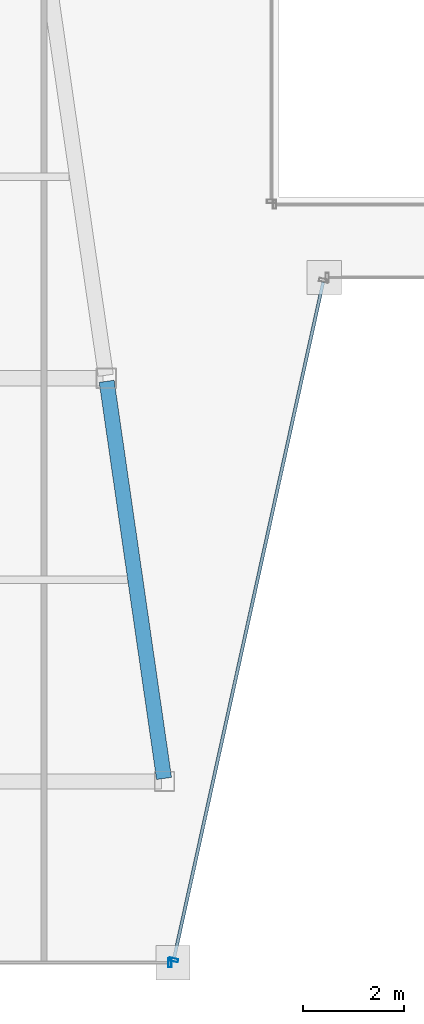
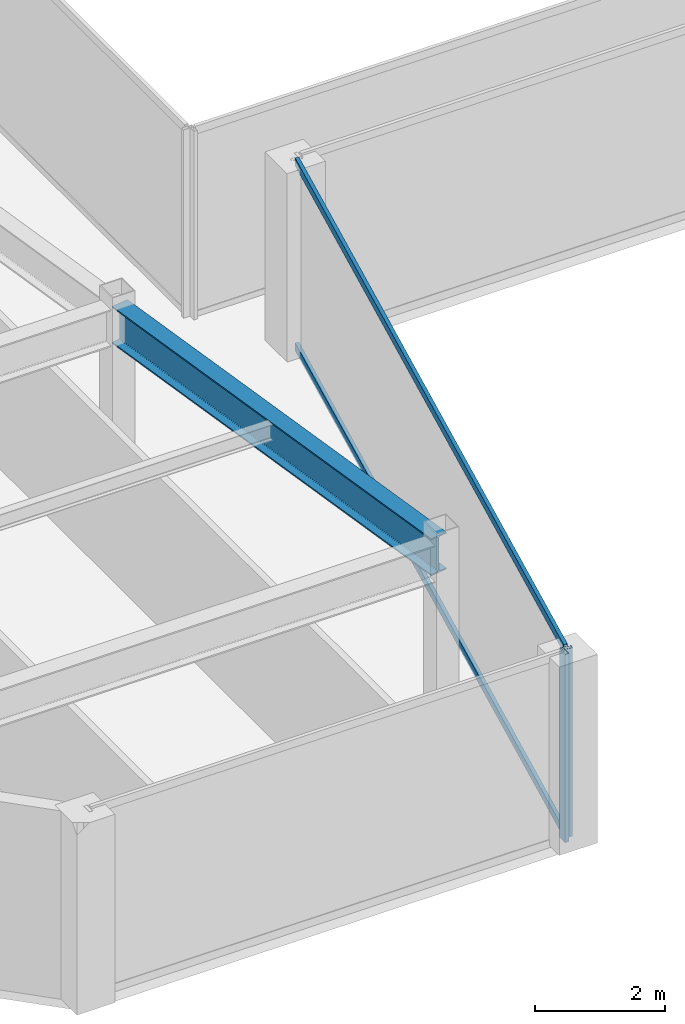
# One storey, part 6 of 35: 4 members, 1 beam, 2 elements without a shape of their own.
"""IFC4 building model written with IfcOpenShell, lengths in metres."""

import ifcopenshell
import ifcopenshell.guid

model = None  # the IFC model being written
_history = None  # IfcOwnerHistory: only IFC2X3 demands one
_inside = {}  # id of a spatial element -> (the spatial element, [elements in it])
_under = {}  # id of a project, library or spatial element -> (it, [spatial elements below it])
_declared = {}  # id of a project -> (the project, [libraries it declares])
_typed = {}  # id of a type object -> (the type object, [elements of that type])
_made_of = {}  # id of a material, layer set ... -> (it, [elements and type objects made of it])


def new_model(schema):
    """Start an empty IFC model of exactly this schema.

    Asked for "IFC4X3", IfcOpenShell would pick the latest addendum, in which some entities
    have other attributes; the version numbers below select the first issue.
    IFC2X3 requires an IfcOwnerHistory on every rooted entity: one is made here for all.
    """
    global model, _history
    if schema == "IFC4X3":
        model = ifcopenshell.file(schema_version=(4, 3, 0, 0))
    else:
        model = ifcopenshell.file(schema=schema)
    _inside.clear()
    _under.clear()
    _declared.clear()
    _typed.clear()
    _made_of.clear()
    _history = None
    if model.schema == "IFC2X3":
        org = make("IfcOrganization", Name="unknown")
        user = make(
            "IfcPersonAndOrganization",
            ThePerson=make("IfcPerson", FamilyName="unknown"),
            TheOrganization=org,
        )
        app = make(
            "IfcApplication",
            ApplicationDeveloper=org,
            Version="unknown",
            ApplicationFullName="unknown",
            ApplicationIdentifier="unknown",
        )
        _history = make(
            "IfcOwnerHistory",
            OwningUser=user,
            OwningApplication=app,
            ChangeAction="ADDED",
            CreationDate=0,
        )
    return model


def make(cls, **values):
    """One entity of the class cls with the attributes given. An attribute that is None is left unset."""
    return model.create_entity(
        cls, **{name: value for name, value in values.items() if value is not None}
    )


def rooted(cls, **values):
    """An entity with a GlobalId (a new one), such as an element, a storey or a relation."""
    return make(cls, GlobalId=ifcopenshell.guid.new(), OwnerHistory=_history, **values)


def si_unit(unit_type, name, prefix=None):
    """IfcSIUnit, for example si_unit("LENGTHUNIT", "METRE", prefix="MILLI")."""
    return make("IfcSIUnit", UnitType=unit_type, Prefix=prefix, Name=name)


def assignment(units):
    """IfcUnitAssignment: the units of a project."""
    return None if units is None else make("IfcUnitAssignment", Units=units)


def point(xyz):
    """IfcCartesianPoint."""
    return None if xyz is None else make("IfcCartesianPoint", Coordinates=xyz)


def direction(xyz):
    """IfcDirection."""
    return None if xyz is None else make("IfcDirection", DirectionRatios=xyz)


def frame(location, z_axis=None, x_axis=None):
    """IfcAxis2Placement3D, a coordinate frame: its origin and axes. An axis left out is left unset."""
    return make(
        "IfcAxis2Placement3D",
        Location=point(location),
        Axis=direction(z_axis),
        RefDirection=direction(x_axis),
    )


def frame_2d(location, x_axis=None):
    """IfcAxis2Placement2D, a coordinate frame in the plane: its origin and x axis."""
    return make(
        "IfcAxis2Placement2D", Location=point(location), RefDirection=direction(x_axis)
    )


def origin():
    """The frame at (0, 0, 0) with its axes left unset."""
    return frame((0.0, 0.0, 0.0))


def origin_2d():
    """The frame at (0, 0) in the plane with its x axis left unset."""
    return frame_2d((0.0, 0.0))


def place(relative_to, where):
    """IfcLocalPlacement: puts the frame where relative to a parent placement (None: the world)."""
    return make(
        "IfcLocalPlacement", PlacementRelTo=relative_to, RelativePlacement=where
    )


def context(
    kind, dimensions, precision=None, world=None, true_north=None, identifier=None
):
    """IfcGeometricRepresentationContext, for example the 3D "Model" context."""
    return make(
        "IfcGeometricRepresentationContext",
        ContextIdentifier=identifier,
        ContextType=kind,
        CoordinateSpaceDimension=dimensions,
        Precision=precision,
        WorldCoordinateSystem=world,
        TrueNorth=true_north,
    )


def subcontext(parent, identifier, kind, view, scale=None):
    """IfcGeometricRepresentationSubContext, for example "Body" below "Model"."""
    return make(
        "IfcGeometricRepresentationSubContext",
        ContextIdentifier=identifier,
        ContextType=kind,
        ParentContext=parent,
        TargetScale=scale,
        TargetView=view,
    )


def project(units=None, contexts=None):
    """IfcProject with its units and contexts."""
    return rooted(
        "IfcProject",
        Name="project",
        RepresentationContexts=contexts,
        UnitsInContext=assignment(units),
    )


def spatial(cls, under=None, at=None, **own):
    """A site, building, storey or space (cls), placed at a placement, below another one or the project."""
    s = rooted(cls, ObjectPlacement=at, **own)
    if under is not None:
        _under.setdefault(under.id(), (under, []))[1].append(s)
    return s


def profile(cls, at=None, kind="AREA", **sizes):
    """A parametric profile (cls). Its sizes go by their IFC names, for example OverallWidth=200.0."""
    return make(cls, ProfileType=kind, Position=at, **sizes)


def hollow_rectangle(**sizes):
    """IfcRectangleHollowProfileDef."""
    return profile("IfcRectangleHollowProfileDef", **sizes)


def i_section(**sizes):
    """IfcIShapeProfileDef."""
    return profile("IfcIShapeProfileDef", **sizes)


def extrude(swept, where, along, depth):
    """IfcExtrudedAreaSolid: the profile swept, set in the frame where, extruded along a direction by depth."""
    return make(
        "IfcExtrudedAreaSolid",
        SweptArea=swept,
        Position=where,
        ExtrudedDirection=direction(along),
        Depth=depth,
    )


def shape(context_of_items, identifier, shape_type, items):
    """IfcShapeRepresentation: the items that make up one representation, for example the "Body"."""
    return make(
        "IfcShapeRepresentation",
        ContextOfItems=context_of_items,
        RepresentationIdentifier=identifier,
        RepresentationType=shape_type,
        Items=items,
    )


def material(Name=None, Category=None):
    """IfcMaterial."""
    return make("IfcMaterial", Name=Name, Category=Category)


def material_profile(
    of_material, cross_section, Name=None, Category=None, Priority=None
):
    """IfcMaterialProfile: a cross section and its material."""
    return make(
        "IfcMaterialProfile",
        Name=Name,
        Material=of_material,
        Profile=cross_section,
        Priority=Priority,
        Category=Category,
    )


def profile_set(profiles, Name=None, composite=None):
    """IfcMaterialProfileSet."""
    return make(
        "IfcMaterialProfileSet",
        Name=Name,
        MaterialProfiles=profiles,
        CompositeProfile=composite,
    )


def made_of(thing, what):
    """Note that an element or type object is made of a material, layer set ...; save() writes the relation."""
    if what is not None:
        _made_of.setdefault(what.id(), (what, []))[1].append(thing)
    return thing


def type_object(cls, material=None, **own):
    """A type object (cls), such as IfcWallType, which elements share."""
    return made_of(rooted(cls, **own), material)


def element(
    cls,
    number,
    at=None,
    inside=None,
    cuts=None,
    type_object=None,
    material=None,
    context=None,
    identifier="Body",
    shape_type=None,
    held_by="IfcProductDefinitionShape",
    body=None,
    shapes=None,
    **own,
):
    """One element of the class cls, such as IfcWall. Its Tag is "e" and its number.

    at: its placement. inside: the storey or other place that contains it. cuts: it is an
    opening in that element (IfcRelVoidsElement). A single representation is given by context,
    identifier, shape_type and body (its items); several are given by shapes. held_by: the class
    of the entity that holds the representations. save() writes the other relations.
    """
    e = rooted(cls, Tag="e%d" % number, ObjectPlacement=at, **own)
    if body is not None:
        shapes = [shape(context, identifier, shape_type, body)]
    if shapes is not None:
        e.Representation = make(held_by, Representations=shapes)
    if inside is not None:
        _inside.setdefault(inside.id(), (inside, []))[1].append(e)
    if cuts is not None:
        rooted(
            "IfcRelVoidsElement", RelatingBuildingElement=cuts, RelatedOpeningElement=e
        )
    if type_object is not None:
        _typed.setdefault(type_object.id(), (type_object, []))[1].append(e)
    return made_of(e, material)


def aggregate(whole, parts):
    """IfcRelAggregates: a whole, such as a stair, and the parts it consists of."""
    return rooted("IfcRelAggregates", RelatingObject=whole, RelatedObjects=parts)


def save(model, path):
    """Write the relations noted so far, then the file.

    IfcRelAggregates (storeys below a building ...), IfcRelContainedInSpatialStructure (elements
    in a storey), IfcRelDefinesByType, IfcRelAssociatesMaterial and IfcRelDeclares: one each for
    every whole, place, type object, material and project.
    """
    for whole, parts in _under.values():
        aggregate(whole, parts)
    for where, things in _inside.values():
        rooted(
            "IfcRelContainedInSpatialStructure",
            RelatedElements=things,
            RelatingStructure=where,
        )
    for kind, things in _typed.values():
        rooted("IfcRelDefinesByType", RelatedObjects=things, RelatingType=kind)
    for what, things in _made_of.values():
        rooted("IfcRelAssociatesMaterial", RelatedObjects=things, RelatingMaterial=what)
    for by, libraries in _declared.values():
        rooted("IfcRelDeclares", RelatingContext=by, RelatedDefinitions=libraries)
    model.write(path)


model = new_model("IFC4")

# Units and contexts
model_context = context("Model", 3, precision=1e-05, world=origin(), true_north=direction((0.0, 1.0)))
body_context = subcontext(model_context, "Body", "Model", "MODEL_VIEW")
ifc_project = project(units=[si_unit("LENGTHUNIT", "METRE"), si_unit("AREAUNIT", "SQUARE_METRE"), si_unit("VOLUMEUNIT", "CUBIC_METRE"), si_unit("PLANEANGLEUNIT", "RADIAN"), si_unit("MASSUNIT", "GRAM", prefix="KILO")], contexts=[model_context])

# Site, building, storey
site_placement = place(None, origin())
site = spatial("IfcSite", under=ifc_project, at=site_placement, CompositionType="ELEMENT")
building_placement = place(site_placement, origin())
building = spatial("IfcBuilding", under=site, at=building_placement, Name="Saevonmaru Cultural Tower", CompositionType="ELEMENT")
storey_placement = place(building_placement, frame((0.0, 0.0, 190.39990234375)))
storey = spatial("IfcBuildingStorey", under=building, at=storey_placement, Name="L43", CompositionType="ELEMENT", Elevation=190.39990234375)

# Beam
ifc_material_1 = material(Name="Steel SM355", Category="steel")
ifc_material_profile_1 = material_profile(ifc_material_1, i_section(OverallWidth=0.300048828125, OverallDepth=0.699951171875, WebThickness=0.012939453125, FlangeThickness=0.02392578125, FilletRadius=0.02587890625, at=origin_2d()), Name="H-700x300x13x24")
ifc_profile_set_1 = profile_set([ifc_material_profile_1], Name="Steel SM355")
beam_type = type_object("IfcBeamType", Name="BM-G-H700", PredefinedType="BEAM", material=ifc_profile_set_1)
beam_placement = place(storey_placement, frame((21.91943359375, 16.059326171875, 3.2001953125), z_axis=(-0.143022161059, 0.989719486241, 0.0), x_axis=(-0.989719486241, -0.143022161059, 0.0)))
element("IfcBeam", 1, at=beam_placement, inside=storey, type_object=beam_type, Name="L43 West Atrium Girder 1", PredefinedType="BEAM", context=body_context, shape_type="SweptSolid", body=[
    extrude(i_section(OverallWidth=0.300048828125, OverallDepth=0.699951171875, WebThickness=0.012939453125, FlangeThickness=0.02392578125, FilletRadius=0.02587890625, at=origin_2d()), origin(), (0.0, 0.0, 1.0), 7.963134765625),
])

# Curtain wall, member
ifc_material_2 = material(Name="Satin Bronze Anodised Aluminium", Category="aluminium")
curtain_wall_type = type_object("IfcCurtainWallType", Name="CW-TYP-B", PredefinedType="NOTDEFINED", material=ifc_material_2)
curtain_wall_1_placement = place(storey_placement, origin())
curtain_wall_1 = element("IfcCurtainWall", 2, at=curtain_wall_1_placement, inside=storey, type_object=curtain_wall_type, Name="L43 Unitised Curtain Wall E2", PredefinedType="NOTDEFINED")
ifc_material_profile_2 = material_profile(ifc_material_2, hollow_rectangle(XDim=0.06494140625, YDim=0.179931640625, WallThickness=0.00390625, at=origin_2d()), Name="ALU-MULL-180x65x4")
ifc_profile_set_2 = profile_set([ifc_material_profile_2], Name="Satin Bronze Anodised Aluminium")
member_type_1 = type_object("IfcMemberType", Name="ML-CW-180x65", PredefinedType="MULLION", material=ifc_profile_set_2)
member_1_placement = place(storey_placement, frame((22.037841796875, 12.39990234375, 0.0), z_axis=(0.0, 0.0, 1.0), x_axis=(1.0, 0.0, 0.0)))
member_1 = element("IfcMember", 3, at=member_1_placement, type_object=member_type_1, Name="CW-TW-L43-E2 mullion 2", PredefinedType="MULLION", context=body_context, shape_type="SweptSolid", body=[
    extrude(hollow_rectangle(XDim=0.06494140625, YDim=0.179931640625, WallThickness=0.00390625, at=origin_2d()), origin(), (0.0, 0.0, 1.0), 3.550048828125),
])
aggregate(curtain_wall_1, [member_1])

# Curtain wall, members
curtain_wall_2_placement = place(storey_placement, origin())
curtain_wall_2 = element("IfcCurtainWall", 4, at=curtain_wall_2_placement, inside=storey, type_object=curtain_wall_type, Name="L43 Unitised Curtain Wall E3", PredefinedType="NOTDEFINED")
member_2_placement = place(storey_placement, frame((22.110595703125, 12.45849609375, 0.0), z_axis=(0.0, 0.0, 1.0), x_axis=(0.215413319953, 0.976522965212, 0.0)))
member_2 = element("IfcMember", 5, at=member_2_placement, type_object=member_type_1, Name="CW-TW-L43-E3 mullion 1", PredefinedType="MULLION", context=body_context, shape_type="SweptSolid", body=[
    extrude(hollow_rectangle(XDim=0.06494140625, YDim=0.179931640625, WallThickness=0.00390625, at=origin_2d()), origin(), (0.0, 0.0, 1.0), 3.550048828125),
])
ifc_material_profile_3 = material_profile(ifc_material_2, hollow_rectangle(XDim=0.06494140625, YDim=0.14990234375, WallThickness=0.00390625, at=origin_2d()), Name="ALU-TRAN-150x65x4")
ifc_profile_set_3 = profile_set([ifc_material_profile_3], Name="Satin Bronze Anodised Aluminium")
member_type_2 = type_object("IfcMemberType", Name="TR-CW-150x65", PredefinedType="USERDEFINED", material=ifc_profile_set_3)
member_3_placement = place(storey_placement, frame((22.11767578125, 12.490234375, 0.03271484375), z_axis=(0.21541214732, 0.976523223885, 0.0), x_axis=(-0.976523223885, 0.21541214732, 0.0)))
member_3 = element("IfcMember", 6, at=member_3_placement, type_object=member_type_2, Name="CW-TW-L43-E3 transom 1.1", ObjectType="TRANSOM", PredefinedType="USERDEFINED", context=body_context, shape_type="SweptSolid", body=[
    extrude(hollow_rectangle(XDim=0.06494140625, YDim=0.14990234375, WallThickness=0.00390625, at=origin_2d()), origin(), (0.0, 0.0, 1.0), 13.741943359375),
])
member_4_placement = place(storey_placement, frame((22.11767578125, 12.490234375, 3.517578125), z_axis=(0.21541214732, 0.976523223885, 0.0), x_axis=(-0.976523223885, 0.21541214732, 0.0)))
member_4 = element("IfcMember", 7, at=member_4_placement, type_object=member_type_2, Name="CW-TW-L43-E3 transom 1.2", ObjectType="TRANSOM", PredefinedType="USERDEFINED", context=body_context, shape_type="SweptSolid", body=[
    extrude(hollow_rectangle(XDim=0.06494140625, YDim=0.14990234375, WallThickness=0.00390625, at=origin_2d()), origin(), (0.0, 0.0, 1.0), 13.741943359375),
])
aggregate(curtain_wall_2, [member_2, member_3, member_4])

save(model, "model.ifc")
